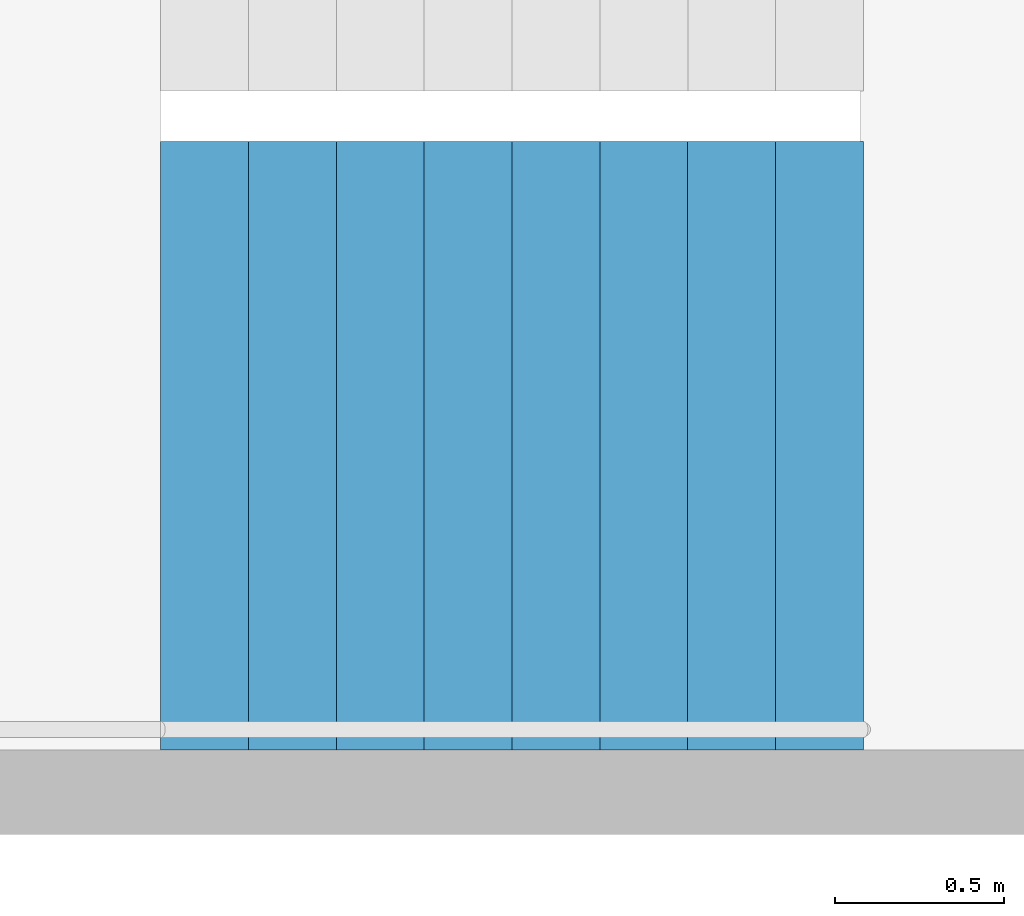
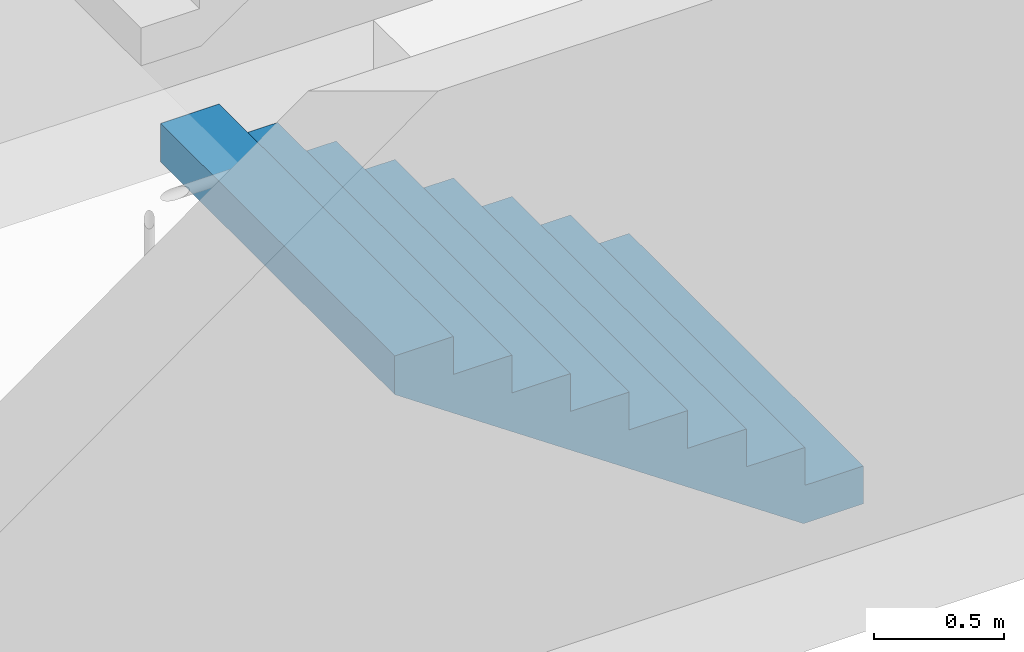
# One storey, part 27 of 29: 1 stair flight, 1 element without a shape of its own.
"""IFC4 building model written with IfcOpenShell, lengths in metres."""

from ifc_helpers import new_model, si_unit, direction, frame, origin, place, context, subcontext, project, spatial, triangles, material, type_object, element, aggregate, save


model = new_model("IFC4")

# Units and contexts
model_context = context("Model", 3, precision=1e-05, world=origin(), true_north=direction((0.0, 1.0)))
body_context = subcontext(model_context, "Body", "Model", "MODEL_VIEW")
ifc_project = project(units=[si_unit("LENGTHUNIT", "METRE"), si_unit("AREAUNIT", "SQUARE_METRE"), si_unit("VOLUMEUNIT", "CUBIC_METRE"), si_unit("PLANEANGLEUNIT", "RADIAN"), si_unit("MASSUNIT", "GRAM", prefix="KILO")], contexts=[model_context])

# Site, building, storey
site_placement = place(None, origin())
site = spatial("IfcSite", under=ifc_project, at=site_placement, CompositionType="ELEMENT")
building_placement = place(site_placement, origin())
building = spatial("IfcBuilding", under=site, at=building_placement, Name="Hakoniwa Tower and Hamabe Station Hall", CompositionType="ELEMENT")
storey_placement = place(building_placement, frame((0.0, 0.0, 104.199951171875)))
storey = spatial("IfcBuildingStorey", under=building, at=storey_placement, Name="L29", CompositionType="ELEMENT", Elevation=104.199951171875)

# Stair, stair flight
ifc_material_1 = material(Name="Concrete C40", Category="concrete")
stair_type = type_object("IfcStairType", Name="ESCAPE STAIR 1800", PredefinedType="HALF_TURN_STAIR", material=ifc_material_1)
stair_placement = place(storey_placement, origin())
stair = element("IfcStair", 1, at=stair_placement, inside=storey, type_object=stair_type, Name="Escape stair ST-3 L29", PredefinedType="HALF_TURN_STAIR")
ifc_material_2 = material(Name="Concrete C40", Category="concrete")
stair_flight_type = type_object("IfcStairFlightType", Name="STAIR FLIGHT 1800", PredefinedType="STRAIGHT", material=ifc_material_2)
stair_flight_placement = place(storey_placement, frame((24.39990234375, 4.64990234375, 0.0), z_axis=(0.0, 0.0, 1.0), x_axis=(-1.0, 0.0, 0.0)))
stair_flight = element("IfcStairFlight", 2, at=stair_flight_placement, type_object=stair_flight_type, Name="ST-3 flight 1", NumberOfRisers=9, NumberOfTreads=8, PredefinedType="STRAIGHT", RiserHeight=0.177777778, TreadLength=0.26, context=body_context, shape_type="Tessellation", body=[
    triangles([(0.0, 0.89990234375, 0.0), (0.260009765625, 0.89990234375, 0.0), (0.265625, 0.89990234375, 0.0), (0.52001953125, 0.89990234375, 0.174072265625), (0.780029296875, 0.89990234375, 0.351806640625), (1.0400390625, 0.89990234375, 0.529541015625), (1.300048828125, 0.89990234375, 0.707275390625), (1.56005859375, 0.89990234375, 0.885009765625), (1.820068359375, 0.89990234375, 1.062744140625), (2.080078125, 0.89990234375, 1.24072265625), (2.080078125, 0.89990234375, 1.422119140625), (1.820068359375, 0.89990234375, 1.422119140625), (1.820068359375, 0.89990234375, 1.244384765625), (1.56005859375, 0.89990234375, 1.244384765625), (1.56005859375, 0.89990234375, 1.066650390625), (1.300048828125, 0.89990234375, 1.066650390625), (1.300048828125, 0.89990234375, 0.888916015625), (1.0400390625, 0.89990234375, 0.888916015625), (1.0400390625, 0.89990234375, 0.711181640625), (0.780029296875, 0.89990234375, 0.711181640625), (0.780029296875, 0.89990234375, 0.533447265625), (0.52001953125, 0.89990234375, 0.533447265625), (0.52001953125, 0.89990234375, 0.35546875), (0.265625, 0.89990234375, 0.35546875), (0.260009765625, 0.89990234375, 0.35546875), (0.260009765625, 0.89990234375, 0.177734375), (0.0, 0.89990234375, 0.177734375), (0.0, 0.06005859375, 0.0), (0.260009765625, 0.06005859375, 0.0), (0.265625, 0.06005859375, 0.0), (0.52001953125, 0.06005859375, 0.174072265625), (0.780029296875, 0.06005859375, 0.351806640625), (1.0400390625, 0.06005859375, 0.529541015625), (1.300048828125, 0.06005859375, 0.707275390625), (1.56005859375, 0.06005859375, 0.885009765625), (1.820068359375, 0.06005859375, 1.062744140625), (2.080078125, 0.06005859375, 1.24072265625), (2.080078125, 0.06005859375, 1.422119140625), (1.820068359375, 0.06005859375, 1.422119140625), (1.820068359375, 0.06005859375, 1.244384765625), (1.56005859375, 0.06005859375, 1.244384765625), (1.56005859375, 0.06005859375, 1.066650390625), (1.300048828125, 0.06005859375, 1.066650390625), (1.300048828125, 0.06005859375, 0.888916015625), (1.0400390625, 0.06005859375, 0.888916015625), (1.0400390625, 0.06005859375, 0.711181640625), (0.780029296875, 0.06005859375, 0.711181640625), (0.780029296875, 0.06005859375, 0.533447265625), (0.52001953125, 0.06005859375, 0.533447265625), (0.52001953125, 0.06005859375, 0.35546875), (0.265625, 0.06005859375, 0.35546875), (0.260009765625, 0.06005859375, 0.35546875), (0.260009765625, 0.06005859375, 0.177734375), (0.0, 0.06005859375, 0.177734375), (0.0, 0.04296875, 0.0), (0.260009765625, 0.04296875, 0.0), (0.265625, 0.04296875, 0.0), (0.52001953125, 0.04296875, 0.174072265625), (0.780029296875, 0.04296875, 0.351806640625), (1.0400390625, 0.04296875, 0.529541015625), (1.300048828125, 0.04296875, 0.707275390625), (1.56005859375, 0.04296875, 0.885009765625), (1.820068359375, 0.04296875, 1.062744140625), (2.080078125, 0.04296875, 1.24072265625), (2.080078125, 0.04296875, 1.422119140625), (1.820068359375, 0.04296875, 1.422119140625), (1.820068359375, 0.04296875, 1.244384765625), (1.56005859375, 0.04296875, 1.244384765625), (1.56005859375, 0.04296875, 1.066650390625), (1.300048828125, 0.04296875, 1.066650390625), (1.300048828125, 0.04296875, 0.888916015625), (1.0400390625, 0.04296875, 0.888916015625), (1.0400390625, 0.04296875, 0.711181640625), (0.780029296875, 0.04296875, 0.711181640625), (0.780029296875, 0.04296875, 0.533447265625), (0.52001953125, 0.04296875, 0.533447265625), (0.52001953125, 0.04296875, 0.35546875), (0.265625, 0.04296875, 0.35546875), (0.260009765625, 0.04296875, 0.35546875), (0.260009765625, 0.04296875, 0.177734375), (0.0, 0.04296875, 0.177734375), (0.0, 0.025634765625, 0.0), (0.260009765625, 0.025634765625, 0.0), (0.265625, 0.025634765625, 0.0), (0.52001953125, 0.025634765625, 0.174072265625), (0.780029296875, 0.025634765625, 0.351806640625), (1.0400390625, 0.025634765625, 0.529541015625), (1.300048828125, 0.025634765625, 0.707275390625), (1.56005859375, 0.025634765625, 0.885009765625), (1.820068359375, 0.025634765625, 1.062744140625), (2.080078125, 0.025634765625, 1.24072265625), (2.080078125, 0.025634765625, 1.422119140625), (1.820068359375, 0.025634765625, 1.422119140625), (1.820068359375, 0.025634765625, 1.244384765625), (1.56005859375, 0.025634765625, 1.244384765625), (1.56005859375, 0.025634765625, 1.066650390625), (1.300048828125, 0.025634765625, 1.066650390625), (1.300048828125, 0.025634765625, 0.888916015625), (1.0400390625, 0.025634765625, 0.888916015625), (1.0400390625, 0.025634765625, 0.711181640625), (0.780029296875, 0.025634765625, 0.711181640625), (0.780029296875, 0.025634765625, 0.533447265625), (0.52001953125, 0.025634765625, 0.533447265625), (0.52001953125, 0.025634765625, 0.35546875), (0.265625, 0.025634765625, 0.35546875), (0.260009765625, 0.025634765625, 0.35546875), (0.260009765625, 0.025634765625, 0.177734375), (0.0, 0.025634765625, 0.177734375), (0.0, 0.008544921875, 0.0), (0.260009765625, 0.008544921875, 0.0), (0.265625, 0.008544921875, 0.0), (0.52001953125, 0.008544921875, 0.174072265625), (0.780029296875, 0.008544921875, 0.351806640625), (1.0400390625, 0.008544921875, 0.529541015625), (1.300048828125, 0.008544921875, 0.707275390625), (1.56005859375, 0.008544921875, 0.885009765625), (1.820068359375, 0.008544921875, 1.062744140625), (2.080078125, 0.008544921875, 1.24072265625), (2.080078125, 0.008544921875, 1.422119140625), (1.820068359375, 0.008544921875, 1.422119140625), (1.820068359375, 0.008544921875, 1.244384765625), (1.56005859375, 0.008544921875, 1.244384765625), (1.56005859375, 0.008544921875, 1.066650390625), (1.300048828125, 0.008544921875, 1.066650390625), (1.300048828125, 0.008544921875, 0.888916015625), (1.0400390625, 0.008544921875, 0.888916015625), (1.0400390625, 0.008544921875, 0.711181640625), (0.780029296875, 0.008544921875, 0.711181640625), (0.780029296875, 0.008544921875, 0.533447265625), (0.52001953125, 0.008544921875, 0.533447265625), (0.52001953125, 0.008544921875, 0.35546875), (0.265625, 0.008544921875, 0.35546875), (0.260009765625, 0.008544921875, 0.35546875), (0.260009765625, 0.008544921875, 0.177734375), (0.0, 0.008544921875, 0.177734375), (0.0, -0.008544921875, 0.0), (0.260009765625, -0.008544921875, 0.0), (0.265625, -0.008544921875, 0.0), (0.52001953125, -0.008544921875, 0.174072265625), (0.780029296875, -0.008544921875, 0.351806640625), (1.0400390625, -0.008544921875, 0.529541015625), (1.300048828125, -0.008544921875, 0.707275390625), (1.56005859375, -0.008544921875, 0.885009765625), (1.820068359375, -0.008544921875, 1.062744140625), (2.080078125, -0.008544921875, 1.24072265625), (2.080078125, -0.008544921875, 1.422119140625), (1.820068359375, -0.008544921875, 1.422119140625), (1.820068359375, -0.008544921875, 1.244384765625), (1.56005859375, -0.008544921875, 1.244384765625), (1.56005859375, -0.008544921875, 1.066650390625), (1.300048828125, -0.008544921875, 1.066650390625), (1.300048828125, -0.008544921875, 0.888916015625), (1.0400390625, -0.008544921875, 0.888916015625), (1.0400390625, -0.008544921875, 0.711181640625), (0.780029296875, -0.008544921875, 0.711181640625), (0.780029296875, -0.008544921875, 0.533447265625), (0.52001953125, -0.008544921875, 0.533447265625), (0.52001953125, -0.008544921875, 0.35546875), (0.265625, -0.008544921875, 0.35546875), (0.260009765625, -0.008544921875, 0.35546875), (0.260009765625, -0.008544921875, 0.177734375), (0.0, -0.008544921875, 0.177734375), (0.0, -0.025634765625, 0.0), (0.260009765625, -0.025634765625, 0.0), (0.265625, -0.025634765625, 0.0), (0.52001953125, -0.025634765625, 0.174072265625), (0.780029296875, -0.025634765625, 0.351806640625), (1.0400390625, -0.025634765625, 0.529541015625), (1.300048828125, -0.025634765625, 0.707275390625), (1.56005859375, -0.025634765625, 0.885009765625), (1.820068359375, -0.025634765625, 1.062744140625), (2.080078125, -0.025634765625, 1.24072265625), (2.080078125, -0.025634765625, 1.422119140625), (1.820068359375, -0.025634765625, 1.422119140625), (1.820068359375, -0.025634765625, 1.244384765625), (1.56005859375, -0.025634765625, 1.244384765625), (1.56005859375, -0.025634765625, 1.066650390625), (1.300048828125, -0.025634765625, 1.066650390625), (1.300048828125, -0.025634765625, 0.888916015625), (1.0400390625, -0.025634765625, 0.888916015625), (1.0400390625, -0.025634765625, 0.711181640625), (0.780029296875, -0.025634765625, 0.711181640625), (0.780029296875, -0.025634765625, 0.533447265625), (0.52001953125, -0.025634765625, 0.533447265625), (0.52001953125, -0.025634765625, 0.35546875), (0.265625, -0.025634765625, 0.35546875), (0.260009765625, -0.025634765625, 0.35546875), (0.260009765625, -0.025634765625, 0.177734375), (0.0, -0.025634765625, 0.177734375), (0.0, -0.04296875, 0.0), (0.260009765625, -0.04296875, 0.0), (0.265625, -0.04296875, 0.0), (0.52001953125, -0.04296875, 0.174072265625), (0.780029296875, -0.04296875, 0.351806640625), (1.0400390625, -0.04296875, 0.529541015625), (1.300048828125, -0.04296875, 0.707275390625), (1.56005859375, -0.04296875, 0.885009765625), (1.820068359375, -0.04296875, 1.062744140625), (2.080078125, -0.04296875, 1.24072265625), (2.080078125, -0.04296875, 1.422119140625), (1.820068359375, -0.04296875, 1.422119140625), (1.820068359375, -0.04296875, 1.244384765625), (1.56005859375, -0.04296875, 1.244384765625), (1.56005859375, -0.04296875, 1.066650390625), (1.300048828125, -0.04296875, 1.066650390625), (1.300048828125, -0.04296875, 0.888916015625), (1.0400390625, -0.04296875, 0.888916015625), (1.0400390625, -0.04296875, 0.711181640625), (0.780029296875, -0.04296875, 0.711181640625), (0.780029296875, -0.04296875, 0.533447265625), (0.52001953125, -0.04296875, 0.533447265625), (0.52001953125, -0.04296875, 0.35546875), (0.265625, -0.04296875, 0.35546875), (0.260009765625, -0.04296875, 0.35546875), (0.260009765625, -0.04296875, 0.177734375), (0.0, -0.04296875, 0.177734375), (0.0, -0.06005859375, 0.0), (0.260009765625, -0.06005859375, 0.0), (0.265625, -0.06005859375, 0.0), (0.52001953125, -0.06005859375, 0.174072265625), (0.780029296875, -0.06005859375, 0.351806640625), (1.0400390625, -0.06005859375, 0.529541015625), (1.300048828125, -0.06005859375, 0.707275390625), (1.56005859375, -0.06005859375, 0.885009765625), (1.820068359375, -0.06005859375, 1.062744140625), (2.080078125, -0.06005859375, 1.24072265625), (2.080078125, -0.06005859375, 1.422119140625), (1.820068359375, -0.06005859375, 1.422119140625), (1.820068359375, -0.06005859375, 1.244384765625), (1.56005859375, -0.06005859375, 1.244384765625), (1.56005859375, -0.06005859375, 1.066650390625), (1.300048828125, -0.06005859375, 1.066650390625), (1.300048828125, -0.06005859375, 0.888916015625), (1.0400390625, -0.06005859375, 0.888916015625), (1.0400390625, -0.06005859375, 0.711181640625), (0.780029296875, -0.06005859375, 0.711181640625), (0.780029296875, -0.06005859375, 0.533447265625), (0.52001953125, -0.06005859375, 0.533447265625), (0.52001953125, -0.06005859375, 0.35546875), (0.265625, -0.06005859375, 0.35546875), (0.260009765625, -0.06005859375, 0.35546875), (0.260009765625, -0.06005859375, 0.177734375), (0.0, -0.06005859375, 0.177734375), (0.0, -0.89990234375, 0.0), (0.260009765625, -0.89990234375, 0.0), (0.265625, -0.89990234375, 0.0), (0.52001953125, -0.89990234375, 0.174072265625), (0.780029296875, -0.89990234375, 0.351806640625), (1.0400390625, -0.89990234375, 0.529541015625), (1.300048828125, -0.89990234375, 0.707275390625), (1.56005859375, -0.89990234375, 0.885009765625), (1.820068359375, -0.89990234375, 1.062744140625), (2.080078125, -0.89990234375, 1.24072265625), (2.080078125, -0.89990234375, 1.422119140625), (1.820068359375, -0.89990234375, 1.422119140625), (1.820068359375, -0.89990234375, 1.244384765625), (1.56005859375, -0.89990234375, 1.244384765625), (1.56005859375, -0.89990234375, 1.066650390625), (1.300048828125, -0.89990234375, 1.066650390625), (1.300048828125, -0.89990234375, 0.888916015625), (1.0400390625, -0.89990234375, 0.888916015625), (1.0400390625, -0.89990234375, 0.711181640625), (0.780029296875, -0.89990234375, 0.711181640625), (0.780029296875, -0.89990234375, 0.533447265625), (0.52001953125, -0.89990234375, 0.533447265625), (0.52001953125, -0.89990234375, 0.35546875), (0.265625, -0.89990234375, 0.35546875), (0.260009765625, -0.89990234375, 0.35546875), (0.260009765625, -0.89990234375, 0.177734375), (0.0, -0.89990234375, 0.177734375)], [[2, 27, 26], [245, 269, 270], [2, 1, 27], [245, 270, 244], [3, 25, 24], [246, 267, 268], [3, 26, 25], [246, 268, 269], [3, 2, 26], [246, 269, 245], [4, 24, 23], [247, 266, 267], [4, 3, 24], [247, 267, 246], [5, 22, 21], [248, 264, 265], [5, 23, 22], [248, 265, 266], [5, 4, 23], [248, 266, 247], [6, 20, 19], [249, 262, 263], [6, 21, 20], [249, 263, 264], [6, 5, 21], [249, 264, 248], [7, 18, 17], [250, 260, 261], [7, 19, 18], [250, 261, 262], [7, 6, 19], [250, 262, 249], [8, 16, 15], [251, 258, 259], [8, 17, 16], [251, 259, 260], [8, 7, 17], [251, 260, 250], [9, 14, 13], [252, 256, 257], [9, 15, 14], [252, 257, 258], [9, 8, 15], [252, 258, 251], [10, 12, 11], [253, 254, 255], [10, 13, 12], [253, 255, 256], [10, 9, 13], [253, 256, 252], [1, 2, 29], [1, 29, 28], [28, 29, 56], [28, 56, 55], [55, 56, 83], [55, 83, 82], [82, 83, 110], [82, 110, 109], [109, 110, 137], [109, 137, 136], [136, 137, 164], [136, 164, 163], [163, 164, 191], [163, 191, 190], [190, 191, 218], [190, 218, 217], [217, 218, 245], [217, 245, 244], [2, 3, 30], [2, 30, 29], [29, 30, 57], [29, 57, 56], [56, 57, 84], [56, 84, 83], [83, 84, 111], [83, 111, 110], [110, 111, 138], [110, 138, 137], [137, 138, 165], [137, 165, 164], [164, 165, 192], [164, 192, 191], [191, 192, 219], [191, 219, 218], [218, 219, 246], [218, 246, 245], [3, 4, 31], [3, 31, 30], [30, 31, 58], [30, 58, 57], [57, 58, 85], [57, 85, 84], [84, 85, 112], [84, 112, 111], [111, 112, 139], [111, 139, 138], [138, 139, 166], [138, 166, 165], [165, 166, 193], [165, 193, 192], [192, 193, 220], [192, 220, 219], [219, 220, 247], [219, 247, 246], [4, 5, 32], [4, 32, 31], [31, 32, 59], [31, 59, 58], [58, 59, 86], [58, 86, 85], [85, 86, 113], [85, 113, 112], [112, 113, 140], [112, 140, 139], [139, 140, 167], [139, 167, 166], [166, 167, 194], [166, 194, 193], [193, 194, 221], [193, 221, 220], [220, 221, 248], [220, 248, 247], [5, 6, 33], [5, 33, 32], [32, 33, 60], [32, 60, 59], [59, 60, 87], [59, 87, 86], [86, 87, 114], [86, 114, 113], [113, 114, 141], [113, 141, 140], [140, 141, 168], [140, 168, 167], [167, 168, 195], [167, 195, 194], [194, 195, 222], [194, 222, 221], [221, 222, 249], [221, 249, 248], [6, 7, 34], [6, 34, 33], [33, 34, 61], [33, 61, 60], [60, 61, 88], [60, 88, 87], [87, 88, 115], [87, 115, 114], [114, 115, 142], [114, 142, 141], [141, 142, 169], [141, 169, 168], [168, 169, 196], [168, 196, 195], [195, 196, 223], [195, 223, 222], [222, 223, 250], [222, 250, 249], [7, 8, 35], [7, 35, 34], [34, 35, 62], [34, 62, 61], [61, 62, 89], [61, 89, 88], [88, 89, 116], [88, 116, 115], [115, 116, 143], [115, 143, 142], [142, 143, 170], [142, 170, 169], [169, 170, 197], [169, 197, 196], [196, 197, 224], [196, 224, 223], [223, 224, 251], [223, 251, 250], [8, 9, 36], [8, 36, 35], [35, 36, 63], [35, 63, 62], [62, 63, 90], [62, 90, 89], [89, 90, 117], [89, 117, 116], [116, 117, 144], [116, 144, 143], [143, 144, 171], [143, 171, 170], [170, 171, 198], [170, 198, 197], [197, 198, 225], [197, 225, 224], [224, 225, 252], [224, 252, 251], [9, 10, 37], [9, 37, 36], [36, 37, 64], [36, 64, 63], [63, 64, 91], [63, 91, 90], [90, 91, 118], [90, 118, 117], [117, 118, 145], [117, 145, 144], [144, 145, 172], [144, 172, 171], [171, 172, 199], [171, 199, 198], [198, 199, 226], [198, 226, 225], [225, 226, 253], [225, 253, 252], [10, 11, 38], [10, 38, 37], [37, 38, 65], [37, 65, 64], [64, 65, 92], [64, 92, 91], [91, 92, 119], [91, 119, 118], [118, 119, 146], [118, 146, 145], [145, 146, 173], [145, 173, 172], [172, 173, 200], [172, 200, 199], [199, 200, 227], [199, 227, 226], [226, 227, 254], [226, 254, 253], [11, 12, 39], [11, 39, 38], [38, 39, 66], [38, 66, 65], [65, 66, 93], [65, 93, 92], [92, 93, 120], [92, 120, 119], [119, 120, 147], [119, 147, 146], [146, 147, 174], [146, 174, 173], [173, 174, 201], [173, 201, 200], [200, 201, 228], [200, 228, 227], [227, 228, 255], [227, 255, 254], [12, 13, 40], [12, 40, 39], [39, 40, 67], [39, 67, 66], [66, 67, 94], [66, 94, 93], [93, 94, 121], [93, 121, 120], [120, 121, 148], [120, 148, 147], [147, 148, 175], [147, 175, 174], [174, 175, 202], [174, 202, 201], [201, 202, 229], [201, 229, 228], [228, 229, 256], [228, 256, 255], [13, 14, 41], [13, 41, 40], [40, 41, 68], [40, 68, 67], [67, 68, 95], [67, 95, 94], [94, 95, 122], [94, 122, 121], [121, 122, 149], [121, 149, 148], [148, 149, 176], [148, 176, 175], [175, 176, 203], [175, 203, 202], [202, 203, 230], [202, 230, 229], [229, 230, 257], [229, 257, 256], [14, 15, 42], [14, 42, 41], [41, 42, 69], [41, 69, 68], [68, 69, 96], [68, 96, 95], [95, 96, 123], [95, 123, 122], [122, 123, 150], [122, 150, 149], [149, 150, 177], [149, 177, 176], [176, 177, 204], [176, 204, 203], [203, 204, 231], [203, 231, 230], [230, 231, 258], [230, 258, 257], [15, 16, 43], [15, 43, 42], [42, 43, 70], [42, 70, 69], [69, 70, 97], [69, 97, 96], [96, 97, 124], [96, 124, 123], [123, 124, 151], [123, 151, 150], [150, 151, 178], [150, 178, 177], [177, 178, 205], [177, 205, 204], [204, 205, 232], [204, 232, 231], [231, 232, 259], [231, 259, 258], [16, 17, 44], [16, 44, 43], [43, 44, 71], [43, 71, 70], [70, 71, 98], [70, 98, 97], [97, 98, 125], [97, 125, 124], [124, 125, 152], [124, 152, 151], [151, 152, 179], [151, 179, 178], [178, 179, 206], [178, 206, 205], [205, 206, 233], [205, 233, 232], [232, 233, 260], [232, 260, 259], [17, 18, 45], [17, 45, 44], [44, 45, 72], [44, 72, 71], [71, 72, 99], [71, 99, 98], [98, 99, 126], [98, 126, 125], [125, 126, 153], [125, 153, 152], [152, 153, 180], [152, 180, 179], [179, 180, 207], [179, 207, 206], [206, 207, 234], [206, 234, 233], [233, 234, 261], [233, 261, 260], [18, 19, 46], [18, 46, 45], [45, 46, 73], [45, 73, 72], [72, 73, 100], [72, 100, 99], [99, 100, 127], [99, 127, 126], [126, 127, 154], [126, 154, 153], [153, 154, 181], [153, 181, 180], [180, 181, 208], [180, 208, 207], [207, 208, 235], [207, 235, 234], [234, 235, 262], [234, 262, 261], [19, 20, 47], [19, 47, 46], [46, 47, 74], [46, 74, 73], [73, 74, 101], [73, 101, 100], [100, 101, 128], [100, 128, 127], [127, 128, 155], [127, 155, 154], [154, 155, 182], [154, 182, 181], [181, 182, 209], [181, 209, 208], [208, 209, 236], [208, 236, 235], [235, 236, 263], [235, 263, 262], [20, 21, 48], [20, 48, 47], [47, 48, 75], [47, 75, 74], [74, 75, 102], [74, 102, 101], [101, 102, 129], [101, 129, 128], [128, 129, 156], [128, 156, 155], [155, 156, 183], [155, 183, 182], [182, 183, 210], [182, 210, 209], [209, 210, 237], [209, 237, 236], [236, 237, 264], [236, 264, 263], [21, 22, 49], [21, 49, 48], [48, 49, 76], [48, 76, 75], [75, 76, 103], [75, 103, 102], [102, 103, 130], [102, 130, 129], [129, 130, 157], [129, 157, 156], [156, 157, 184], [156, 184, 183], [183, 184, 211], [183, 211, 210], [210, 211, 238], [210, 238, 237], [237, 238, 265], [237, 265, 264], [22, 23, 50], [22, 50, 49], [49, 50, 77], [49, 77, 76], [76, 77, 104], [76, 104, 103], [103, 104, 131], [103, 131, 130], [130, 131, 158], [130, 158, 157], [157, 158, 185], [157, 185, 184], [184, 185, 212], [184, 212, 211], [211, 212, 239], [211, 239, 238], [238, 239, 266], [238, 266, 265], [23, 24, 51], [23, 51, 50], [50, 51, 78], [50, 78, 77], [77, 78, 105], [77, 105, 104], [104, 105, 132], [104, 132, 131], [131, 132, 159], [131, 159, 158], [158, 159, 186], [158, 186, 185], [185, 186, 213], [185, 213, 212], [212, 213, 240], [212, 240, 239], [239, 240, 267], [239, 267, 266], [24, 25, 52], [24, 52, 51], [51, 52, 79], [51, 79, 78], [78, 79, 106], [78, 106, 105], [105, 106, 133], [105, 133, 132], [132, 133, 160], [132, 160, 159], [159, 160, 187], [159, 187, 186], [186, 187, 214], [186, 214, 213], [213, 214, 241], [213, 241, 240], [240, 241, 268], [240, 268, 267], [25, 26, 53], [25, 53, 52], [52, 53, 80], [52, 80, 79], [79, 80, 107], [79, 107, 106], [106, 107, 134], [106, 134, 133], [133, 134, 161], [133, 161, 160], [160, 161, 188], [160, 188, 187], [187, 188, 215], [187, 215, 214], [214, 215, 242], [214, 242, 241], [241, 242, 269], [241, 269, 268], [26, 27, 54], [26, 54, 53], [53, 54, 81], [53, 81, 80], [80, 81, 108], [80, 108, 107], [107, 108, 135], [107, 135, 134], [134, 135, 162], [134, 162, 161], [161, 162, 189], [161, 189, 188], [188, 189, 216], [188, 216, 215], [215, 216, 243], [215, 243, 242], [242, 243, 270], [242, 270, 269], [27, 1, 28], [27, 28, 54], [54, 28, 55], [54, 55, 81], [81, 55, 82], [81, 82, 108], [108, 82, 109], [108, 109, 135], [135, 109, 136], [135, 136, 162], [162, 136, 163], [162, 163, 189], [189, 163, 190], [189, 190, 216], [216, 190, 217], [216, 217, 243], [243, 217, 244], [243, 244, 270]], closed=True),
])
aggregate(stair, [stair_flight])

save(model, "model.ifc")
